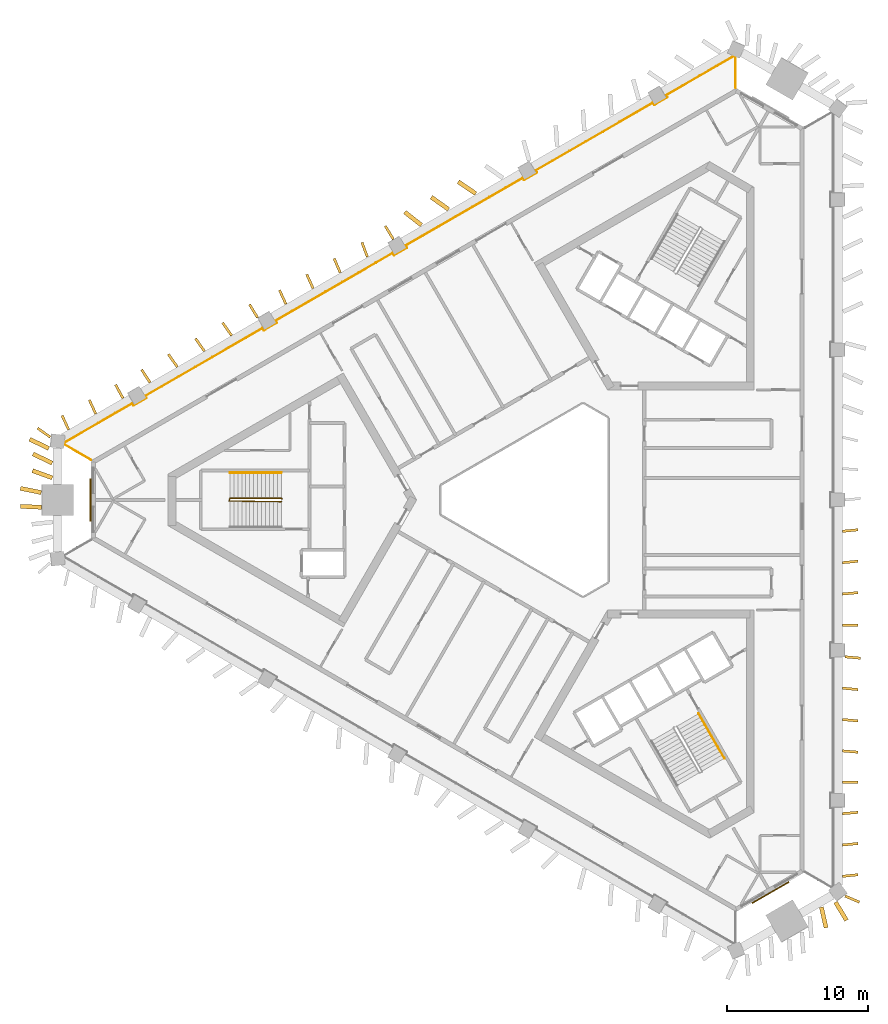
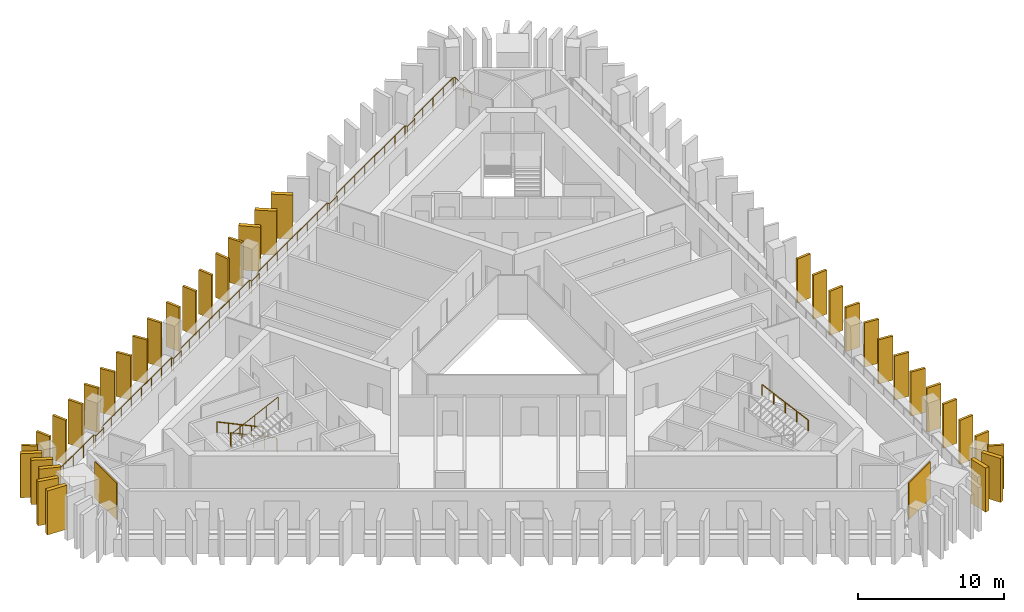
# One storey, part 8 of 9: 37 shading devices, 4 railings, 2 coverings.
"""IFC4 building model written with IfcOpenShell, lengths in metres."""

from ifc_helpers import new_model, si_unit, direction, frame, frame_2d, origin, origin_2d, place, context, subcontext, project, spatial, rectangle, circle, extrude, material, layer, layer_set, type_object, element, save


model = new_model("IFC4")

# Units and contexts
model_context = context("Model", 3, precision=1e-05, world=origin(), true_north=direction((0.0, 1.0)))
body_context = subcontext(model_context, "Body", "Model", "MODEL_VIEW")
ifc_project = project(units=[si_unit("LENGTHUNIT", "METRE"), si_unit("AREAUNIT", "SQUARE_METRE"), si_unit("VOLUMEUNIT", "CUBIC_METRE"), si_unit("PLANEANGLEUNIT", "RADIAN"), si_unit("MASSUNIT", "GRAM", prefix="KILO")], contexts=[model_context])

# Site, building, storey
site_placement = place(None, origin())
site = spatial("IfcSite", under=ifc_project, at=site_placement, CompositionType="ELEMENT")
building_placement = place(site_placement, origin())
building = spatial("IfcBuilding", under=site, at=building_placement, Name="Jabali Bay Hotel Tower and Convention Centre", CompositionType="ELEMENT")
storey_placement = place(building_placement, frame((0.0, 0.0, 189.60009765625)))
storey = spatial("IfcBuildingStorey", under=building, at=storey_placement, Name="L46", CompositionType="ELEMENT", Elevation=189.60009765625)

# Railing
ifc_material_1 = material(Name="Glass", Category="glass")
railing_type_1 = type_object("IfcRailingType", Name="Loggia glass guard 1100", PredefinedType="BALUSTRADE", material=ifc_material_1)
railing_1_placement = place(storey_placement, frame((42.951416015625, 82.8330078125, 0.0)))
element("IfcRailing", 1, at=railing_1_placement, inside=storey, type_object=railing_type_1, Name="Loggia glass guard L46", PredefinedType="BALUSTRADE", context=body_context, shape_type="SweptSolid", body=[
    extrude(circle(Radius=0.02490234375, at=origin_2d()), frame((0.0, 0.0, 1.0751953125), z_axis=(-0.866035418383, 0.499982653806, 0.0), x_axis=(-0.495705232892, -0.858626365323, 0.13052619222)), (0.0, 0.0, 1.0), 2.19287109375),
    extrude(circle(Radius=0.02490234375, at=origin_2d()), frame((-1.899169921875, 1.096435546875, 1.0751953125), z_axis=(0.119984594018, 0.992775753732, 0.0), x_axis=(-0.984282419534, 0.118958109183, 0.13052619222)), (0.0, 0.0, 1.0), 0.126220703125),
    extrude(circle(Radius=0.02490234375, at=origin_2d()), frame((-1.884033203125, 1.2216796875, 1.0751953125), z_axis=(0.866007104507, 0.500031693939, 0.0), x_axis=(-0.49575385348, 0.858598293676, 0.13052619222)), (0.0, 0.0, 1.0), 5.558349609375),
    extrude(circle(Radius=0.02490234375, at=origin_2d()), frame((2.929443359375, 4.0009765625, 1.0751953125), z_axis=(0.500486622847, -0.865744269604, 0.0), x_axis=(0.858337707362, 0.496204890408, 0.13052619222)), (0.0, 0.0, 1.0), 0.175048828125),
    extrude(circle(Radius=0.02490234375, at=origin_2d()), frame((3.01708984375, 3.849365234375, 1.0751953125), z_axis=(0.866030680601, 0.499990860175, 0.0), x_axis=(-0.495713369054, 0.858621668074, 0.13052619222)), (0.0, 0.0, 1.0), 1.0498046875),
    extrude(circle(Radius=0.02490234375, at=origin_2d()), frame((3.92626953125, 4.374267578125, 1.0751953125), z_axis=(-0.499440622861, 0.866348119543, 0.0), x_axis=(-0.858936391282, -0.495167839097, 0.13052619222)), (0.0, 0.0, 1.0), 0.175048828125),
    extrude(circle(Radius=0.02490234375, at=origin_2d()), frame((3.8388671875, 4.52587890625, 1.0751953125), z_axis=(0.866028270559, 0.499995034568, 0.0), x_axis=(-0.495717507735, 0.85861927865, 0.13052619222)), (0.0, 0.0, 1.0), 9.587890625),
    extrude(circle(Radius=0.02490234375, at=origin_2d()), frame((12.142333984375, 9.31982421875, 1.0751953125), z_axis=(0.499440622861, -0.866348119543, 0.0), x_axis=(0.858936391282, 0.495167839097, 0.13052619222)), (0.0, 0.0, 1.0), 0.175048828125),
    extrude(circle(Radius=0.02490234375, at=origin_2d()), frame((12.229736328125, 9.168212890625, 1.0751953125), z_axis=(0.865988129768, 0.500064554934, 0.0), x_axis=(-0.495786433345, 0.858579481269, 0.13052619222)), (0.0, 0.0, 1.0), 1.050048828125),
    extrude(circle(Radius=0.02490234375, at=origin_2d()), frame((13.13916015625, 9.693359375, 1.0751953125), z_axis=(-0.501091290591, 0.865394429433, 0.0), x_axis=(-0.857990860123, -0.496804385136, 0.13052619222)), (0.0, 0.0, 1.0), 0.1748046875),
    extrude(circle(Radius=0.02490234375, at=origin_2d()), frame((13.051513671875, 9.8447265625, 1.0751953125), z_axis=(0.866017244681, 0.500014131716, 0.0), x_axis=(-0.495736441504, 0.8586083471, 0.13052619222)), (0.0, 0.0, 1.0), 9.588134765625),
    extrude(circle(Radius=0.02490234375, at=origin_2d()), frame((21.35498046875, 14.638916015625, 1.0751953125), z_axis=(0.499440622861, -0.866348119543, 0.0), x_axis=(0.858936391282, 0.495167839097, 0.13052619222)), (0.0, 0.0, 1.0), 0.175048828125),
    extrude(circle(Radius=0.02490234375, at=origin_2d()), frame((21.4423828125, 14.4873046875, 1.0751953125), z_axis=(0.866088799389, 0.499890179513, 0.0), x_axis=(-0.495613549729, 0.858679289647, 0.13052619222)), (0.0, 0.0, 1.0), 1.050048828125),
    extrude(circle(Radius=0.02490234375, at=origin_2d()), frame((22.351806640625, 15.01220703125, 1.0751953125), z_axis=(-0.499440622861, 0.866348119543, 0.0), x_axis=(-0.858936391282, -0.495167839097, 0.13052619222)), (0.0, 0.0, 1.0), 0.175048828125),
    extrude(circle(Radius=0.02490234375, at=origin_2d()), frame((22.264404296875, 15.163818359375, 1.0751953125), z_axis=(0.866028270559, 0.499995034568, 0.0), x_axis=(-0.495717507735, 0.85861927865, 0.13052619222)), (0.0, 0.0, 1.0), 9.587890625),
    extrude(circle(Radius=0.02490234375, at=origin_2d()), frame((30.56787109375, 19.957763671875, 1.0751953125), z_axis=(0.499440622861, -0.866348119543, 0.0), x_axis=(0.858936391282, 0.495167839097, 0.13052619222)), (0.0, 0.0, 1.0), 0.175048828125),
    extrude(circle(Radius=0.02490234375, at=origin_2d()), frame((30.6552734375, 19.80615234375, 1.0751953125), z_axis=(0.865988129768, 0.500064554934, 0.0), x_axis=(-0.495786433345, 0.858579481269, 0.13052619222)), (0.0, 0.0, 1.0), 1.050048828125),
    extrude(circle(Radius=0.02490234375, at=origin_2d()), frame((31.564697265625, 20.331298828125, 1.0751953125), z_axis=(-0.500486622847, 0.865744269604, 0.0), x_axis=(-0.858337707362, -0.496204890408, 0.13052619222)), (0.0, 0.0, 1.0), 0.175048828125),
    extrude(circle(Radius=0.02490234375, at=origin_2d()), frame((31.47705078125, 20.48291015625, 1.0751953125), z_axis=(0.866028270559, 0.499995034568, 0.0), x_axis=(-0.495717507735, 0.85861927865, 0.13052619222)), (0.0, 0.0, 1.0), 9.587890625),
    extrude(circle(Radius=0.02490234375, at=origin_2d()), frame((39.780517578125, 25.27685546875, 1.0751953125), z_axis=(0.499440622861, -0.866348119543, 0.0), x_axis=(0.858936391282, 0.495167839097, 0.13052619222)), (0.0, 0.0, 1.0), 0.175048828125),
    extrude(circle(Radius=0.02490234375, at=origin_2d()), frame((39.867919921875, 25.125244140625, 1.0751953125), z_axis=(0.866088799389, 0.499890179513, 0.0), x_axis=(-0.495613549729, 0.858679289647, 0.13052619222)), (0.0, 0.0, 1.0), 1.050048828125),
    extrude(circle(Radius=0.02490234375, at=origin_2d()), frame((40.77734375, 25.650146484375, 1.0751953125), z_axis=(-0.499440622861, 0.866348119543, 0.0), x_axis=(-0.858936391282, -0.495167839097, 0.13052619222)), (0.0, 0.0, 1.0), 0.175048828125),
    extrude(circle(Radius=0.02490234375, at=origin_2d()), frame((40.68994140625, 25.8017578125, 1.0751953125), z_axis=(0.866026124785, 0.499998751188, 0.0), x_axis=(-0.495721192559, 0.858617151234, 0.13052619222)), (0.0, 0.0, 1.0), 5.55810546875),
    extrude(circle(Radius=0.02490234375, at=origin_2d()), frame((45.50341796875, 28.580810546875, 1.0751953125), z_axis=(0.920243719744, -0.391345750291, 0.0), x_axis=(0.387997733147, 0.912370907152, 0.13052619222)), (0.0, 0.0, 1.0), 0.1259765625),
    extrude(circle(Radius=0.02490234375, at=origin_2d()), frame((45.619384765625, 28.531494140625, 1.0751953125), z_axis=(0.0, -1.0, 0.0), x_axis=(0.991444861374, 0.0, 0.13052619222)), (0.0, 0.0, 1.0), 2.193115234375),
    extrude(circle(Radius=0.02001953125, at=origin_2d()), origin(), (0.0, 0.0, 1.0), 1.050048828125),
    extrude(circle(Radius=0.02001953125, at=origin_2d()), frame((-0.94970703125, 0.54833984375, 0.0)), (0.0, 0.0, 1.0), 1.050048828125),
    extrude(circle(Radius=0.02001953125, at=origin_2d()), frame((-1.899169921875, 1.096435546875, 0.0)), (0.0, 0.0, 1.0), 1.050048828125),
    extrude(circle(Radius=0.02001953125, at=origin_2d()), frame((-1.884033203125, 1.2216796875, 0.0)), (0.0, 0.0, 1.0), 1.050048828125),
    extrude(circle(Radius=0.02001953125, at=origin_2d()), frame((-0.6806640625, 1.91650390625, 0.0)), (0.0, 0.0, 1.0), 1.050048828125),
    extrude(circle(Radius=0.02001953125, at=origin_2d()), frame((0.522705078125, 2.611328125, 0.0)), (0.0, 0.0, 1.0), 1.050048828125),
    extrude(circle(Radius=0.02001953125, at=origin_2d()), frame((1.72607421875, 3.30615234375, 0.0)), (0.0, 0.0, 1.0), 1.050048828125),
    extrude(circle(Radius=0.02001953125, at=origin_2d()), frame((2.929443359375, 4.0009765625, 0.0)), (0.0, 0.0, 1.0), 1.050048828125),
    extrude(circle(Radius=0.02001953125, at=origin_2d()), frame((3.01708984375, 3.849365234375, 0.0)), (0.0, 0.0, 1.0), 1.050048828125),
    extrude(circle(Radius=0.02001953125, at=origin_2d()), frame((3.92626953125, 4.374267578125, 0.0)), (0.0, 0.0, 1.0), 1.050048828125),
    extrude(circle(Radius=0.02001953125, at=origin_2d()), frame((3.8388671875, 4.52587890625, 0.0)), (0.0, 0.0, 1.0), 1.050048828125),
    extrude(circle(Radius=0.02001953125, at=origin_2d()), frame((5.025146484375, 5.210693359375, 0.0)), (0.0, 0.0, 1.0), 1.050048828125),
    extrude(circle(Radius=0.02001953125, at=origin_2d()), frame((6.211181640625, 5.8955078125, 0.0)), (0.0, 0.0, 1.0), 1.050048828125),
    extrude(circle(Radius=0.02001953125, at=origin_2d()), frame((7.3974609375, 6.580322265625, 0.0)), (0.0, 0.0, 1.0), 1.050048828125),
    extrude(circle(Radius=0.02001953125, at=origin_2d()), frame((8.583740234375, 7.265380859375, 0.0)), (0.0, 0.0, 1.0), 1.050048828125),
    extrude(circle(Radius=0.02001953125, at=origin_2d()), frame((9.77001953125, 7.9501953125, 0.0)), (0.0, 0.0, 1.0), 1.050048828125),
    extrude(circle(Radius=0.02001953125, at=origin_2d()), frame((10.9560546875, 8.635009765625, 0.0)), (0.0, 0.0, 1.0), 1.050048828125),
    extrude(circle(Radius=0.02001953125, at=origin_2d()), frame((12.142333984375, 9.31982421875, 0.0)), (0.0, 0.0, 1.0), 1.050048828125),
    extrude(circle(Radius=0.02001953125, at=origin_2d()), frame((12.229736328125, 9.168212890625, 0.0)), (0.0, 0.0, 1.0), 1.050048828125),
    extrude(circle(Radius=0.02001953125, at=origin_2d()), frame((13.13916015625, 9.693359375, 0.0)), (0.0, 0.0, 1.0), 1.050048828125),
    extrude(circle(Radius=0.02001953125, at=origin_2d()), frame((13.051513671875, 9.8447265625, 0.0)), (0.0, 0.0, 1.0), 1.050048828125),
    extrude(circle(Radius=0.02001953125, at=origin_2d()), frame((14.23779296875, 10.529541015625, 0.0)), (0.0, 0.0, 1.0), 1.050048828125),
    extrude(circle(Radius=0.02001953125, at=origin_2d()), frame((15.423828125, 11.214599609375, 0.0)), (0.0, 0.0, 1.0), 1.050048828125),
    extrude(circle(Radius=0.02001953125, at=origin_2d()), frame((16.610107421875, 11.8994140625, 0.0)), (0.0, 0.0, 1.0), 1.050048828125),
    extrude(circle(Radius=0.02001953125, at=origin_2d()), frame((17.79638671875, 12.584228515625, 0.0)), (0.0, 0.0, 1.0), 1.050048828125),
    extrude(circle(Radius=0.02001953125, at=origin_2d()), frame((18.982666015625, 13.26904296875, 0.0)), (0.0, 0.0, 1.0), 1.050048828125),
    extrude(circle(Radius=0.02001953125, at=origin_2d()), frame((20.168701171875, 13.9541015625, 0.0)), (0.0, 0.0, 1.0), 1.050048828125),
    extrude(circle(Radius=0.02001953125, at=origin_2d()), frame((21.35498046875, 14.638916015625, 0.0)), (0.0, 0.0, 1.0), 1.050048828125),
    extrude(circle(Radius=0.02001953125, at=origin_2d()), frame((21.4423828125, 14.4873046875, 0.0)), (0.0, 0.0, 1.0), 1.050048828125),
    extrude(circle(Radius=0.02001953125, at=origin_2d()), frame((22.351806640625, 15.01220703125, 0.0)), (0.0, 0.0, 1.0), 1.050048828125),
    extrude(circle(Radius=0.02001953125, at=origin_2d()), frame((22.264404296875, 15.163818359375, 0.0)), (0.0, 0.0, 1.0), 1.050048828125),
    extrude(circle(Radius=0.02001953125, at=origin_2d()), frame((23.45068359375, 15.8486328125, 0.0)), (0.0, 0.0, 1.0), 1.050048828125),
    extrude(circle(Radius=0.02001953125, at=origin_2d()), frame((24.63671875, 16.533447265625, 0.0)), (0.0, 0.0, 1.0), 1.050048828125),
    extrude(circle(Radius=0.02001953125, at=origin_2d()), frame((25.822998046875, 17.21826171875, 0.0)), (0.0, 0.0, 1.0), 1.050048828125),
    extrude(circle(Radius=0.02001953125, at=origin_2d()), frame((27.00927734375, 17.9033203125, 0.0)), (0.0, 0.0, 1.0), 1.050048828125),
    extrude(circle(Radius=0.02001953125, at=origin_2d()), frame((28.195556640625, 18.588134765625, 0.0)), (0.0, 0.0, 1.0), 1.050048828125),
    extrude(circle(Radius=0.02001953125, at=origin_2d()), frame((29.381591796875, 19.27294921875, 0.0)), (0.0, 0.0, 1.0), 1.050048828125),
    extrude(circle(Radius=0.02001953125, at=origin_2d()), frame((30.56787109375, 19.957763671875, 0.0)), (0.0, 0.0, 1.0), 1.050048828125),
    extrude(circle(Radius=0.02001953125, at=origin_2d()), frame((30.6552734375, 19.80615234375, 0.0)), (0.0, 0.0, 1.0), 1.050048828125),
    extrude(circle(Radius=0.02001953125, at=origin_2d()), frame((31.564697265625, 20.331298828125, 0.0)), (0.0, 0.0, 1.0), 1.050048828125),
    extrude(circle(Radius=0.02001953125, at=origin_2d()), frame((31.47705078125, 20.48291015625, 0.0)), (0.0, 0.0, 1.0), 1.050048828125),
    extrude(circle(Radius=0.02001953125, at=origin_2d()), frame((32.663330078125, 21.167724609375, 0.0)), (0.0, 0.0, 1.0), 1.050048828125),
    extrude(circle(Radius=0.02001953125, at=origin_2d()), frame((33.849365234375, 21.8525390625, 0.0)), (0.0, 0.0, 1.0), 1.050048828125),
    extrude(circle(Radius=0.02001953125, at=origin_2d()), frame((35.03564453125, 22.537353515625, 0.0)), (0.0, 0.0, 1.0), 1.050048828125),
    extrude(circle(Radius=0.02001953125, at=origin_2d()), frame((36.221923828125, 23.222412109375, 0.0)), (0.0, 0.0, 1.0), 1.050048828125),
    extrude(circle(Radius=0.02001953125, at=origin_2d()), frame((37.408203125, 23.9072265625, 0.0)), (0.0, 0.0, 1.0), 1.050048828125),
    extrude(circle(Radius=0.02001953125, at=origin_2d()), frame((38.59423828125, 24.592041015625, 0.0)), (0.0, 0.0, 1.0), 1.050048828125),
    extrude(circle(Radius=0.02001953125, at=origin_2d()), frame((39.780517578125, 25.27685546875, 0.0)), (0.0, 0.0, 1.0), 1.050048828125),
    extrude(circle(Radius=0.02001953125, at=origin_2d()), frame((39.867919921875, 25.125244140625, 0.0)), (0.0, 0.0, 1.0), 1.050048828125),
    extrude(circle(Radius=0.02001953125, at=origin_2d()), frame((40.77734375, 25.650146484375, 0.0)), (0.0, 0.0, 1.0), 1.050048828125),
    extrude(circle(Radius=0.02001953125, at=origin_2d()), frame((40.68994140625, 25.8017578125, 0.0)), (0.0, 0.0, 1.0), 1.050048828125),
    extrude(circle(Radius=0.02001953125, at=origin_2d()), frame((41.893310546875, 26.49658203125, 0.0)), (0.0, 0.0, 1.0), 1.050048828125),
    extrude(circle(Radius=0.02001953125, at=origin_2d()), frame((43.0966796875, 27.19140625, 0.0)), (0.0, 0.0, 1.0), 1.050048828125),
    extrude(circle(Radius=0.02001953125, at=origin_2d()), frame((44.300048828125, 27.885986328125, 0.0)), (0.0, 0.0, 1.0), 1.050048828125),
    extrude(circle(Radius=0.02001953125, at=origin_2d()), frame((45.50341796875, 28.580810546875, 0.0)), (0.0, 0.0, 1.0), 1.050048828125),
    extrude(circle(Radius=0.02001953125, at=origin_2d()), frame((45.619384765625, 28.531494140625, 0.0)), (0.0, 0.0, 1.0), 1.050048828125),
    extrude(circle(Radius=0.02001953125, at=origin_2d()), frame((45.619384765625, 27.43505859375, 0.0)), (0.0, 0.0, 1.0), 1.050048828125),
    extrude(circle(Radius=0.02001953125, at=origin_2d()), frame((45.619384765625, 26.33837890625, 0.0)), (0.0, 0.0, 1.0), 1.050048828125),
])

# Shading devices
ifc_material_2 = material(Name="Precast concrete C60", Category="concrete")
ifc_layer_1 = layer(ifc_material_2, 0.179931640625)
ifc_layer_set_1 = layer_set([ifc_layer_1], Name="Precast concrete C60")
shading_device_type_1 = type_object("IfcShadingDeviceType", Name="Precast fin 3680 x 1100", PredefinedType="USERDEFINED", material=ifc_layer_set_1)
for number, where, z_axis, x_axis, name in (
    (2, (96.130126953125, 53.357177734375, 0.010009765625), (0.0, 0.0, 1.0), (0.994116959237, 0.10831191697, 0.0), "Fin L46 000"),
    (3, (96.12890625, 55.577392578125, 0.010009765625), (0.0, 0.0, 1.0), (0.995286657009, 0.096976648632, 0.0), "Fin L46 001"),
):
    element("IfcShadingDevice", number, at=place(storey_placement, frame(where, z_axis=z_axis, x_axis=x_axis)), inside=storey, type_object=shading_device_type_1, Name=name, ObjectType="FIN", PredefinedType="USERDEFINED", context=body_context, shape_type="SweptSolid", body=[
        extrude(rectangle(XDim=1.10009765625, YDim=0.179931640625, at=frame_2d((0.550048828125, 0.0))), origin(), (0.0, 0.0, 1.0), 3.679931640625),
    ])
shading_device_1_placement = place(storey_placement, frame((96.127685546875, 57.797607421875, 0.010009765625), z_axis=(0.0, 0.0, 1.0), x_axis=(0.996621874565, 0.082126969619, 0.0)))
element("IfcShadingDevice", 4, at=shading_device_1_placement, inside=storey, type_object=shading_device_type_1, Name="Fin L46 002", ObjectType="FIN", PredefinedType="USERDEFINED", context=body_context, shape_type="SweptSolid", body=[
    extrude(rectangle(XDim=1.099853515625, YDim=0.179931640625, at=frame_2d((0.5498046875, 0.0))), origin(), (0.0, 0.0, 1.0), 3.679931640625),
])
shading_device_2_placement = place(storey_placement, frame((96.12060546875, 60.017822265625, 0.010009765625), z_axis=(0.0, 0.0, 1.0), x_axis=(0.999993695894, 0.003550798743, 0.0)))
element("IfcShadingDevice", 5, at=shading_device_2_placement, inside=storey, type_object=shading_device_type_1, Name="Fin L46 003", ObjectType="FIN", PredefinedType="USERDEFINED", context=body_context, shape_type="SweptSolid", body=[
    extrude(rectangle(XDim=1.10009765625, YDim=0.179931640625, at=frame_2d((0.550048828125, 0.0))), origin(), (0.0, 0.0, 1.0), 3.679931640625),
])
shading_device_3_placement = place(storey_placement, frame((96.127685546875, 62.238037109375, 0.010009765625), z_axis=(0.0, 0.0, 1.0), x_axis=(0.996621874565, -0.082126969619, 0.0)))
element("IfcShadingDevice", 6, at=shading_device_3_placement, inside=storey, type_object=shading_device_type_1, Name="Fin L46 004", ObjectType="FIN", PredefinedType="USERDEFINED", context=body_context, shape_type="SweptSolid", body=[
    extrude(rectangle(XDim=1.099853515625, YDim=0.179931640625, at=frame_2d((0.5498046875, 0.0))), origin(), (0.0, 0.0, 1.0), 3.679931640625),
])
for number, where, z_axis, x_axis, name in (
    (7, (96.12841796875, 64.458251953125, 0.010009765625), (0.0, 0.0, 1.0), (0.995851258694, -0.090995991991, 0.0), "Fin L46 005"),
    (8, (96.12841796875, 66.6787109375, 0.010009765625), (0.0, 0.0, 1.0), (0.995831122783, -0.091216089027, 0.0), "Fin L46 006"),
    (9, (96.3037109375, 68.89892578125, 0.010009765625), (0.0, 0.0, 1.0), (0.995992645873, -0.089435168513, 0.0), "Fin L46 007"),
):
    element("IfcShadingDevice", number, at=place(storey_placement, frame(where, z_axis=z_axis, x_axis=x_axis)), inside=storey, type_object=shading_device_type_1, Name=name, ObjectType="FIN", PredefinedType="USERDEFINED", context=body_context, shape_type="SweptSolid", body=[
        extrude(rectangle(XDim=1.10009765625, YDim=0.179931640625, at=frame_2d((0.550048828125, 0.0))), origin(), (0.0, 0.0, 1.0), 3.679931640625),
    ])
shading_device_4_placement = place(storey_placement, frame((96.121337890625, 71.119140625, 0.010009765625), z_axis=(0.0, 0.0, 1.0), x_axis=(0.999943242153, 0.010654223224, 0.0)))
element("IfcShadingDevice", 10, at=shading_device_4_placement, inside=storey, type_object=shading_device_type_1, Name="Fin L46 008", ObjectType="FIN", PredefinedType="USERDEFINED", context=body_context, shape_type="SweptSolid", body=[
    extrude(rectangle(XDim=1.099853515625, YDim=0.179931640625, at=frame_2d((0.5498046875, 0.0))), origin(), (0.0, 0.0, 1.0), 3.679931640625),
])
for number, where, z_axis, x_axis, name in (
    (11, (96.12841796875, 73.33935546875, 0.010009765625), (0.0, 0.0, 1.0), (0.995770428128, 0.091876299809, 0.0), "Fin L46 009"),
    (12, (96.128662109375, 75.5595703125, 0.010009765625), (0.0, 0.0, 1.0), (0.995645820533, 0.093216951543, 0.0), "Fin L46 010"),
    (13, (96.12890625, 77.77978515625, 0.010009765625), (0.0, 0.0, 1.0), (0.995243723572, 0.097416275284, 0.0), "Fin L46 011"),
    (14, (64.347412109375, 98.45068359375, 0.010009765625), (0.0, 0.0, 1.0), (-0.522015481501, 0.852936009952, 0.0), "Fin L46 045"),
    (15, (62.509521484375, 97.193603515625, 0.010009765625), (0.0, 0.0, 1.0), (-0.348008203872, 0.937491487982, 0.0), "Fin L46 046"),
    (16, (60.589111328125, 96.07958984375, 0.010009765625), (0.0, 0.0, 1.0), (-0.395070832745, 0.918650661086, 0.0), "Fin L46 047"),
    (17, (58.6669921875, 94.968017578125, 0.010009765625), (0.0, 0.0, 1.0), (-0.4109920405, 0.911638932168, 0.0), "Fin L46 048"),
    (18, (56.74462890625, 93.857421875, 0.010009765625), (0.0, 0.0, 1.0), (-0.418579594107, 0.908180116165, 0.0), "Fin L46 049"),
    (19, (54.734619140625, 92.898193359375, 0.010009765625), (0.0, 0.0, 1.0), (-0.515963587936, 0.856610515885, 0.0), "Fin L46 050"),
    (20, (52.899169921875, 91.63720703125, 0.010009765625), (0.0, 0.0, 1.0), (-0.577284297539, 0.816543225931, 0.0), "Fin L46 051"),
    (21, (50.976318359375, 90.52685546875, 0.010009765625), (0.0, 0.0, 1.0), (-0.576779035858, 0.816900204306, 0.0), "Fin L46 052"),
):
    element("IfcShadingDevice", number, at=place(storey_placement, frame(where, z_axis=z_axis, x_axis=x_axis)), inside=storey, type_object=shading_device_type_1, Name=name, ObjectType="FIN", PredefinedType="USERDEFINED", context=body_context, shape_type="SweptSolid", body=[
        extrude(rectangle(XDim=1.10009765625, YDim=0.179931640625, at=frame_2d((0.550048828125, 0.0))), origin(), (0.0, 0.0, 1.0), 3.679931640625),
    ])
for number, where, z_axis, x_axis, name in (
    (22, (49.053466796875, 89.416748046875, 0.010009765625), (0.0, 0.0, 1.0), (-0.576630912148, 0.817004768135, 0.0), "Fin L46 053"),
    (23, (47.132080078125, 88.304443359375, 0.010009765625), (0.0, 0.0, 1.0), (-0.551417303211, 0.834229559366, 0.0), "Fin L46 054"),
):
    element("IfcShadingDevice", number, at=place(storey_placement, frame(where, z_axis=z_axis, x_axis=x_axis)), inside=storey, type_object=shading_device_type_1, Name=name, ObjectType="FIN", PredefinedType="USERDEFINED", context=body_context, shape_type="SweptSolid", body=[
        extrude(rectangle(XDim=1.099853515625, YDim=0.179931640625, at=frame_2d((0.5498046875, 0.0))), origin(), (0.0, 0.0, 1.0), 3.679931640625),
    ])
for number, where, z_axis, x_axis, name in (
    (24, (45.2109375, 87.191650390625, 0.010009765625), (0.0, 0.0, 1.0), (-0.47696940822, 0.878919896022, 0.0), "Fin L46 055"),
    (25, (43.28515625, 86.08642578125, 0.010009765625), (0.0, 0.0, 1.0), (-0.418579594107, 0.908180116165, 0.0), "Fin L46 056"),
    (26, (41.3623046875, 84.9765625, 0.010009765625), (0.0, 0.0, 1.0), (-0.417678459743, 0.908594906582, 0.0), "Fin L46 057"),
    (27, (96.3173828125, 51.964599609375, 0.010009765625), (0.0, 0.0, 1.0), (0.920175050738, -0.391507185119, 0.0), "Fin L46 099"),
    (28, (40.06396484375, 84.4423828125, 0.010009765625), (0.0, 0.0, 1.0), (-0.815439556177, 0.578842232583, 0.0), "Fin L46 102"),
):
    element("IfcShadingDevice", number, at=place(storey_placement, frame(where, z_axis=z_axis, x_axis=x_axis)), inside=storey, type_object=shading_device_type_1, Name=name, ObjectType="FIN", PredefinedType="USERDEFINED", context=body_context, shape_type="SweptSolid", body=[
        extrude(rectangle(XDim=1.10009765625, YDim=0.179931640625, at=frame_2d((0.550048828125, 0.0))), origin(), (0.0, 0.0, 1.0), 3.679931640625),
    ])
ifc_layer_2 = layer(ifc_material_2, 0.300048828125)
ifc_layer_set_2 = layer_set([ifc_layer_2], Name="Precast concrete C60")
shading_device_type_2 = type_object("IfcShadingDeviceType", Name="Precast fin 3680 x 1500", PredefinedType="USERDEFINED", material=ifc_layer_set_2)
shading_device_5_placement = place(storey_placement, frame((70.17578125, 101.67724609375, 0.010009765625), z_axis=(0.0, 0.0, 1.0), x_axis=(-0.825941453528, 0.563755900497, 0.0)))
element("IfcShadingDevice", 29, at=shading_device_5_placement, inside=storey, type_object=shading_device_type_2, Name="Fin L46 042", ObjectType="FIN", PredefinedType="USERDEFINED", context=body_context, shape_type="SweptSolid", body=[
    extrude(rectangle(XDim=1.500244140625, YDim=0.300048828125, at=frame_2d((0.75, 0.0))), origin(), (0.0, 0.0, 1.0), 3.679931640625),
])
for number, where, z_axis, x_axis, name in (
    (30, (68.25390625, 100.5654296875, 0.010009765625), (0.0, 0.0, 1.0), (-0.817423209632, 0.576037582415, 0.0), "Fin L46 043"),
    (31, (66.334716796875, 99.44921875, 0.010009765625), (0.0, 0.0, 1.0), (-0.787085814114, 0.61684351437, 0.0), "Fin L46 044"),
    (32, (39.9609375, 83.640869140625, 0.010009765625), (0.0, 0.0, 1.0), (-0.899129499022, 0.43768269784, 0.0), "Fin L46 058"),
):
    element("IfcShadingDevice", number, at=place(storey_placement, frame(where, z_axis=z_axis, x_axis=x_axis)), inside=storey, type_object=shading_device_type_2, Name=name, ObjectType="FIN", PredefinedType="USERDEFINED", context=body_context, shape_type="SweptSolid", body=[
        extrude(rectangle(XDim=1.5, YDim=0.300048828125, at=frame_2d((0.75, 0.0))), origin(), (0.0, 0.0, 1.0), 3.679931640625),
    ])
shading_device_6_placement = place(storey_placement, frame((40.198974609375, 82.6005859375, 0.010009765625), z_axis=(0.0, 0.0, 1.0), x_axis=(-0.899160672984, 0.437618651521, 0.0)))
element("IfcShadingDevice", 33, at=shading_device_6_placement, inside=storey, type_object=shading_device_type_2, Name="Fin L46 059", ObjectType="FIN", PredefinedType="USERDEFINED", context=body_context, shape_type="SweptSolid", body=[
    extrude(rectangle(XDim=1.500244140625, YDim=0.300048828125, at=frame_2d((0.75, 0.0))), origin(), (0.0, 0.0, 1.0), 3.679931640625),
])
for number, where, z_axis, x_axis, name in (
    (34, (40.21337890625, 81.560302734375, 0.010009765625), (0.0, 0.0, 1.0), (-0.940073473675, 0.340971940331, 0.0), "Fin L46 060"),
    (35, (39.422119140625, 80.52001953125, 0.010009765625), (0.0, 0.0, 1.0), (-0.979854140039, 0.199714456782, 0.0), "Fin L46 061"),
    (36, (39.4453125, 79.47998046875, 0.010009765625), (0.0, 0.0, 1.0), (-0.999026758885, 0.04410821956, 0.0), "Fin L46 062"),
    (37, (94.642333984375, 51.179931640625, 0.010009765625), (0.0, 0.0, 1.0), (0.219221736612, -0.975675063839, 0.0), "Fin L46 097"),
    (38, (95.642578125, 51.527587890625, 0.010009765625), (0.0, 0.0, 1.0), (0.519012109755, -0.854766886307, 0.0), "Fin L46 098"),
):
    element("IfcShadingDevice", number, at=place(storey_placement, frame(where, z_axis=z_axis, x_axis=x_axis)), inside=storey, type_object=shading_device_type_2, Name=name, ObjectType="FIN", PredefinedType="USERDEFINED", context=body_context, shape_type="SweptSolid", body=[
        extrude(rectangle(XDim=1.5, YDim=0.300048828125, at=frame_2d((0.75, 0.0))), origin(), (0.0, 0.0, 1.0), 3.679931640625),
    ])

# Coverings
ifc_material_3 = material(Name="Precast concrete C40/50", Category="concrete")
ifc_layer_3 = layer(ifc_material_3, 0.080078125)
ifc_layer_set_3 = layer_set([ifc_layer_3], Name="Precast concrete C40/50")
covering_type = type_object("IfcCoveringType", Name="Relief panel 3000 x 3050", PredefinedType="CLADDING", material=ifc_layer_set_3)
for number, where, z_axis, x_axis, name in (
    (39, (42.911376953125, 80.0, 0.10009765625), (0.0, 0.0, 1.0), (0.0, 1.0, 0.0), "Relief panel L46"),
    (40, (91.04443359375, 52.21044921875, 0.10009765625), (0.0, 0.0, 1.0), (-0.866025369375, -0.500000059598, 0.0), "Relief panel L46"),
):
    element("IfcCovering", number, at=place(storey_placement, frame(where, z_axis=z_axis, x_axis=x_axis)), inside=storey, type_object=covering_type, Name=name, PredefinedType="CLADDING", context=body_context, shape_type="SweptSolid", body=[
        extrude(rectangle(XDim=3.0, YDim=0.080078125, at=origin_2d()), origin(), (0.0, 0.0, 1.0), 3.050048828125),
    ])

# Railings
ifc_material_4 = material(Name="Steel Q355B", Category="steel")
railing_type_2 = type_object("IfcRailingType", Name="Stair guard 1100", PredefinedType="GUARDRAIL", material=ifc_material_4)
railing_2_placement = place(storey_placement, frame((56.469970703125, 80.074951171875, 0.0)))
element("IfcRailing", 41, at=railing_2_placement, inside=storey, type_object=railing_type_2, Name="L46 ST1 stair guard 1", PredefinedType="GUARDRAIL", context=body_context, shape_type="SweptSolid", body=[
    extrude(circle(Radius=0.02392578125, at=origin_2d()), frame((0.0, 0.0, 1.076171875), z_axis=(-0.333993628408, 0.333993628408, 0.881417331555), x_axis=(-0.707106781187, -0.707106781187, 0.0)), (0.0, 0.0, 1.0), 0.14990234375),
    extrude(circle(Radius=0.02392578125, at=origin_2d()), frame((-0.050048828125, 0.050048828125, 1.2080078125), z_axis=(-0.904350763662, 0.0, 0.426789990819), x_axis=(0.0, -1.0, 0.0)), (0.0, 0.0, 1.0), 4.02490234375),
    extrude(circle(Radius=0.02392578125, at=origin_2d()), frame((-3.68994140625, 0.050048828125, 2.92578125), z_axis=(-0.242814311512, -0.970072785993, 0.0), x_axis=(0.970072785993, -0.242814311512, 0.0)), (0.0, 0.0, 1.0), 0.2060546875),
    extrude(circle(Radius=0.02392578125, at=origin_2d()), frame((-3.739990234375, -0.14990234375, 2.92578125), z_axis=(0.893864111827, -0.012124000458, 0.448174026692), x_axis=(0.013562335953, 0.999908027292, 0.0)), (0.0, 0.0, 1.0), 4.128173828125),
    extrude(circle(Radius=0.02099609375, at=origin_2d()), origin(), (0.0, 0.0, 1.0), 1.052001953125),
    extrude(circle(Radius=0.02099609375, at=origin_2d()), frame((-0.050048828125, 0.050048828125, 0.132080078125)), (0.0, 0.0, 1.0), 1.052001953125),
    extrude(circle(Radius=0.02099609375, at=origin_2d()), frame((-0.9599609375, 0.050048828125, 0.5615234375)), (0.0, 0.0, 1.0), 1.052001953125),
    extrude(circle(Radius=0.02099609375, at=origin_2d()), frame((-1.8701171875, 0.050048828125, 0.990966796875)), (0.0, 0.0, 1.0), 1.052001953125),
    extrude(circle(Radius=0.02099609375, at=origin_2d()), frame((-2.780029296875, 0.050048828125, 1.42041015625)), (0.0, 0.0, 1.0), 1.052001953125),
    extrude(circle(Radius=0.02099609375, at=origin_2d()), frame((-3.68994140625, 0.050048828125, 1.849853515625)), (0.0, 0.0, 1.0), 1.052001953125),
    extrude(circle(Radius=0.02099609375, at=origin_2d()), frame((-3.739990234375, -0.14990234375, 1.849853515625)), (0.0, 0.0, 1.0), 1.052001953125),
    extrude(circle(Radius=0.02099609375, at=origin_2d()), frame((-2.8173828125, -0.162353515625, 2.3125)), (0.0, 0.0, 1.0), 1.052001953125),
    extrude(circle(Radius=0.02099609375, at=origin_2d()), frame((-1.89501953125, -0.1748046875, 2.77490234375)), (0.0, 0.0, 1.0), 1.052001953125),
    extrude(circle(Radius=0.02099609375, at=origin_2d()), frame((-0.97265625, -0.1875, 3.2373046875)), (0.0, 0.0, 1.0), 1.052001953125),
    extrude(circle(Radius=0.02099609375, at=origin_2d()), frame((-0.050048828125, -0.199951171875, 3.699951171875)), (0.0, 0.0, 1.0), 1.052001953125),
])
railing_type_3 = type_object("IfcRailingType", Name="Stair handrail 900", PredefinedType="HANDRAIL", material=ifc_material_4)
railing_3_placement = place(storey_placement, frame((56.419921875, 81.925048828125, 0.132080078125)))
element("IfcRailing", 42, at=railing_3_placement, inside=storey, type_object=railing_type_3, Name="L46 ST1 stair handrail 1", PredefinedType="HANDRAIL", context=body_context, shape_type="SweptSolid", body=[
    extrude(circle(Radius=0.02392578125, at=origin_2d()), frame((0.0, 0.0, 0.8759765625), z_axis=(-0.904350763662, 0.0, 0.426789990819), x_axis=(0.0, -1.0, 0.0)), (0.0, 0.0, 1.0), 4.02490234375),
    extrude(circle(Radius=0.02099609375, at=origin_2d()), origin(), (0.0, 0.0, 1.0), 0.851806640625),
    extrude(circle(Radius=0.02099609375, at=origin_2d()), frame((-0.909912109375, 0.0, 0.429443359375)), (0.0, 0.0, 1.0), 0.851806640625),
    extrude(circle(Radius=0.02099609375, at=origin_2d()), frame((-1.81982421875, 0.0, 0.85888671875)), (0.0, 0.0, 1.0), 0.851806640625),
    extrude(circle(Radius=0.02099609375, at=origin_2d()), frame((-2.72998046875, 0.0, 1.288330078125)), (0.0, 0.0, 1.0), 0.851806640625),
    extrude(circle(Radius=0.02099609375, at=origin_2d()), frame((-3.639892578125, 0.0, 1.7177734375)), (0.0, 0.0, 1.0), 0.851806640625),
])
railing_4_placement = place(storey_placement, frame((87.777099609375, 61.719482421875, 1.98193359375)))
element("IfcRailing", 43, at=railing_4_placement, inside=storey, type_object=railing_type_3, Name="L46 ST3 stair handrail 2", PredefinedType="HANDRAIL", context=body_context, shape_type="SweptSolid", body=[
    extrude(circle(Radius=0.02392578125, at=origin_2d()), frame((0.0, 0.0, 0.8759765625), z_axis=(-0.45217862506, 0.783169739339, 0.426825081763), x_axis=(-0.866018046521, -0.500012742938, 0.0)), (0.0, 0.0, 1.0), 4.025146484375),
    extrude(circle(Radius=0.02099609375, at=origin_2d()), origin(), (0.0, 0.0, 1.0), 0.851806640625),
    extrude(circle(Radius=0.02099609375, at=origin_2d()), frame((-0.455078125, 0.7880859375, 0.429443359375)), (0.0, 0.0, 1.0), 0.851806640625),
    extrude(circle(Radius=0.02099609375, at=origin_2d()), frame((-0.91015625, 1.576171875, 0.85888671875)), (0.0, 0.0, 1.0), 0.851806640625),
    extrude(circle(Radius=0.02099609375, at=origin_2d()), frame((-1.364990234375, 2.3642578125, 1.28857421875)), (0.0, 0.0, 1.0), 0.851806640625),
    extrude(circle(Radius=0.02099609375, at=origin_2d()), frame((-1.820068359375, 3.15234375, 1.718017578125)), (0.0, 0.0, 1.0), 0.851806640625),
])

save(model, "model.ifc")
